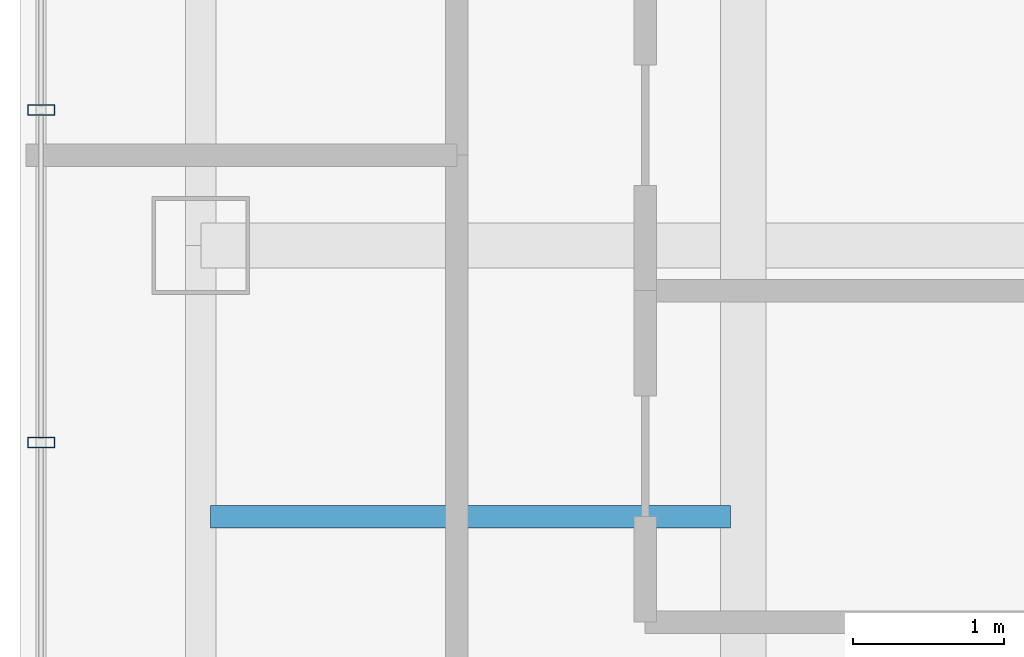
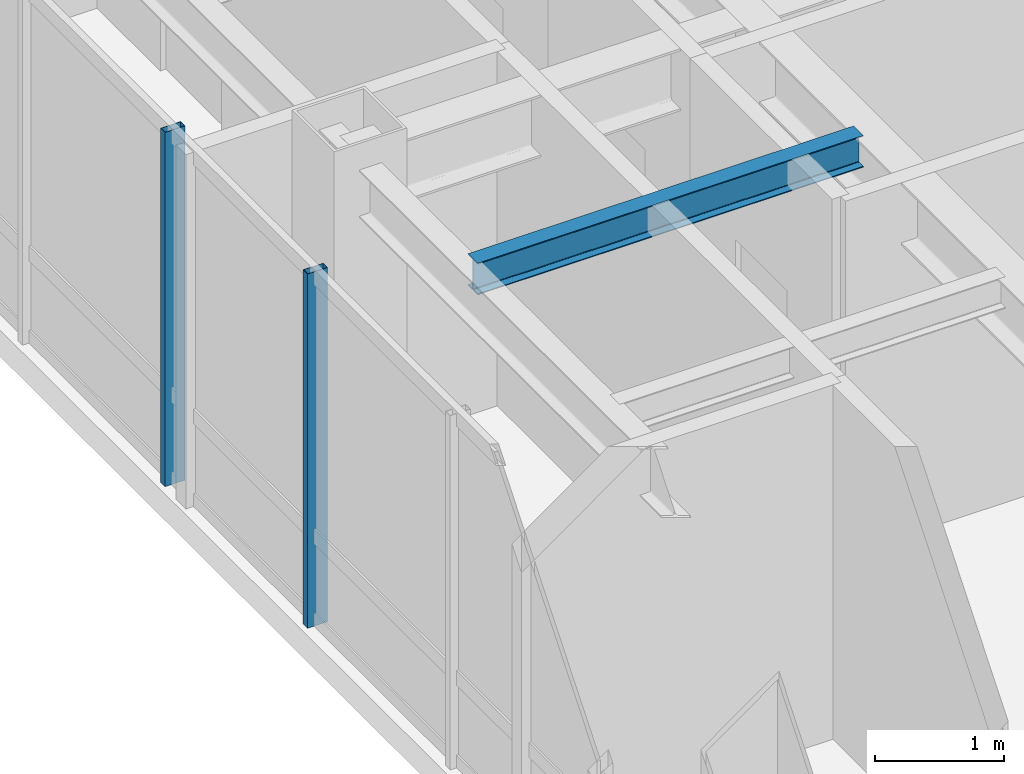
# One storey, part 6 of 25: 2 members, 1 beam, 1 element without a shape of its own.
"""IFC4 building model written with IfcOpenShell, lengths in metres."""

from ifc_helpers import new_model, si_unit, direction, frame, origin, origin_2d, place, context, subcontext, project, spatial, hollow_rectangle, i_section, extrude, material, layer, layer_set, material_profile, profile_set, type_object, element, aggregate, save


model = new_model("IFC4")

# Units and contexts
model_context = context("Model", 3, precision=1e-05, world=origin(), true_north=direction((0.0, 1.0)))
body_context = subcontext(model_context, "Body", "Model", "MODEL_VIEW")
ifc_project = project(units=[si_unit("LENGTHUNIT", "METRE"), si_unit("AREAUNIT", "SQUARE_METRE"), si_unit("VOLUMEUNIT", "CUBIC_METRE"), si_unit("PLANEANGLEUNIT", "RADIAN"), si_unit("MASSUNIT", "GRAM", prefix="KILO")], contexts=[model_context])

# Site, building, storey
site_placement = place(None, origin())
site = spatial("IfcSite", under=ifc_project, at=site_placement, CompositionType="ELEMENT")
building_placement = place(site_placement, origin())
building = spatial("IfcBuilding", under=site, at=building_placement, Name="Hatsunagi Terrace Concourse", CompositionType="ELEMENT")
storey_placement = place(building_placement, frame((0.0, 0.0, 223.949951171875)))
storey = spatial("IfcBuildingStorey", under=building, at=storey_placement, Name="L59", CompositionType="ELEMENT", Elevation=223.949951171875)

# Curtain wall, members
ifc_material_1 = material(Name="Anodised Aluminium Alloy 6063-T5", Category="aluminium")
ifc_layer = layer(ifc_material_1, 0.199951171875)
ifc_layer_set = layer_set([ifc_layer], Name="OfficeZone2_CW04")
curtain_wall_type = type_object("IfcCurtainWallType", Name="OfficeZone2_CW04", PredefinedType="NOTDEFINED", material=ifc_layer_set)
curtain_wall_placement = place(storey_placement, origin())
curtain_wall = element("IfcCurtainWall", 1, at=curtain_wall_placement, inside=storey, type_object=curtain_wall_type, Name="Unitised Curtain Wall CW-04 CW-L59-08", PredefinedType="NOTDEFINED")
ifc_material_2 = material(Name="Anodised Aluminium Alloy 6063-T5", Category="aluminium")
ifc_material_profile_1 = material_profile(ifc_material_2, hollow_rectangle(XDim=0.070068359375, YDim=0.179931640625, WallThickness=0.00390625, at=origin_2d()), Name="ALU-MUL-180x70x4")
ifc_profile_set_1 = profile_set([ifc_material_profile_1], Name="Anodised Aluminium Alloy 6063-T5")
member_type = type_object("IfcMemberType", Name="CurtainWallMullion_180x70", PredefinedType="MULLION", material=ifc_profile_set_1)
member_1_placement = place(storey_placement, frame((18.139892578125, 34.69189453125, 0.0), z_axis=(0.0, 0.0, 1.0), x_axis=(0.0, 1.0, 0.0)))
member_1 = element("IfcMember", 2, at=member_1_placement, type_object=member_type, Name="Curtain Wall Mullion MUL-02", PredefinedType="MULLION", context=body_context, shape_type="SweptSolid", body=[
    extrude(hollow_rectangle(XDim=0.070068359375, YDim=0.179931640625, WallThickness=0.00390625, at=origin_2d()), origin(), (0.0, 0.0, 1.0), 3.35009765625),
])
member_2_placement = place(storey_placement, frame((18.139892578125, 36.89990234375, 0.0), z_axis=(0.0, 0.0, 1.0), x_axis=(0.0, 1.0, 0.0)))
member_2 = element("IfcMember", 3, at=member_2_placement, type_object=member_type, Name="Curtain Wall Mullion MUL-02", PredefinedType="MULLION", context=body_context, shape_type="SweptSolid", body=[
    extrude(hollow_rectangle(XDim=0.070068359375, YDim=0.179931640625, WallThickness=0.00390625, at=origin_2d()), origin(), (0.0, 0.0, 1.0), 3.35009765625),
])
aggregate(curtain_wall, [member_1, member_2])

# Beam
ifc_material_3 = material(Name="Steel SN490B", Category="steel")
ifc_material_profile_2 = material_profile(ifc_material_3, i_section(OverallWidth=0.14990234375, OverallDepth=0.300048828125, WebThickness=0.006591796875, FlangeThickness=0.009033203125, FilletRadius=0.010986328125, at=origin_2d()), Name="H-300x150x6.5x9")
ifc_profile_set_2 = profile_set([ifc_material_profile_2], Name="Steel SN490B")
beam_type = type_object("IfcBeamType", Name="OfficeJoist_H_300x150", PredefinedType="JOIST", material=ifc_profile_set_2)
beam_placement = place(storey_placement, frame((19.264892578125, 34.199951171875, 3.199951171875), z_axis=(1.0, 0.0, 0.0), x_axis=(0.0, 1.0, 0.0)))
element("IfcBeam", 4, at=beam_placement, inside=storey, type_object=beam_type, Name="Beam J-03 J-L59-W-19-342", PredefinedType="JOIST", context=body_context, shape_type="SweptSolid", body=[
    extrude(i_section(OverallWidth=0.14990234375, OverallDepth=0.300048828125, WebThickness=0.006591796875, FlangeThickness=0.009033203125, FilletRadius=0.010986328125, at=origin_2d()), origin(), (0.0, 0.0, 1.0), 3.4501953125),
])

save(model, "model.ifc")
